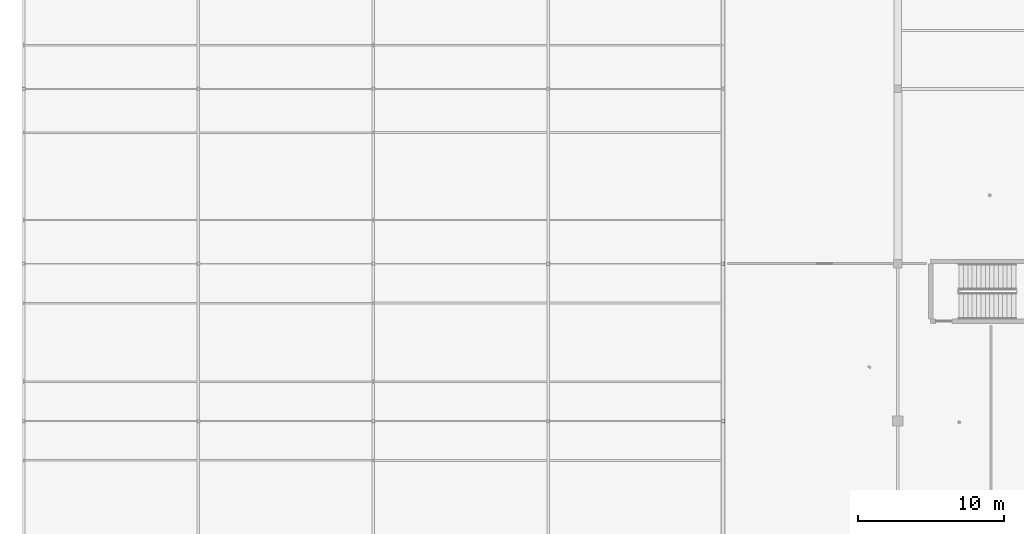
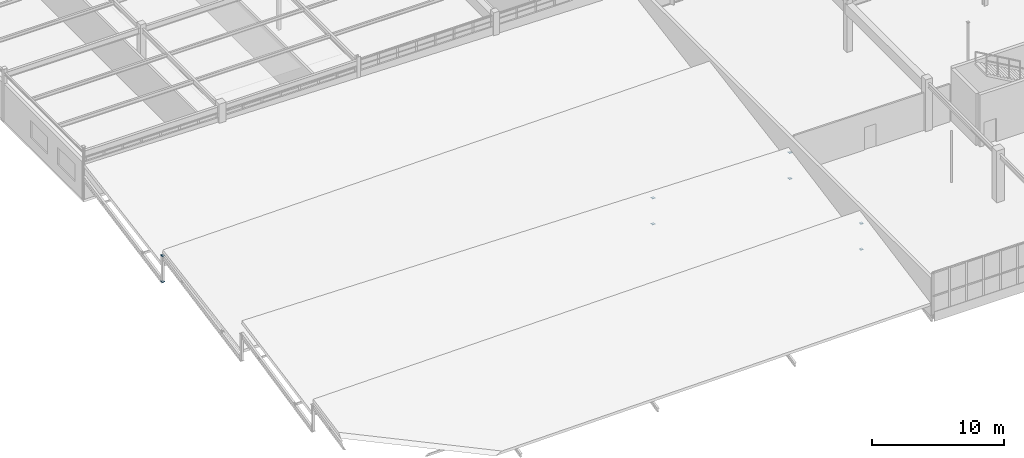
# One storey, part 157 of 226: 8 plates.
"""IFC4 building model written with IfcOpenShell, lengths in metres."""

import ifcopenshell
import ifcopenshell.guid

model = None  # the IFC model being written
_history = None  # IfcOwnerHistory: only IFC2X3 demands one
_inside = {}  # id of a spatial element -> (the spatial element, [elements in it])
_under = {}  # id of a project, library or spatial element -> (it, [spatial elements below it])
_declared = {}  # id of a project -> (the project, [libraries it declares])
_typed = {}  # id of a type object -> (the type object, [elements of that type])
_made_of = {}  # id of a material, layer set ... -> (it, [elements and type objects made of it])


def new_model(schema):
    """Start an empty IFC model of exactly this schema.

    Asked for "IFC4X3", IfcOpenShell would pick the latest addendum, in which some entities
    have other attributes; the version numbers below select the first issue.
    IFC2X3 requires an IfcOwnerHistory on every rooted entity: one is made here for all.
    """
    global model, _history
    if schema == "IFC4X3":
        model = ifcopenshell.file(schema_version=(4, 3, 0, 0))
    else:
        model = ifcopenshell.file(schema=schema)
    _inside.clear()
    _under.clear()
    _declared.clear()
    _typed.clear()
    _made_of.clear()
    _history = None
    if model.schema == "IFC2X3":
        org = make("IfcOrganization", Name="unknown")
        user = make(
            "IfcPersonAndOrganization",
            ThePerson=make("IfcPerson", FamilyName="unknown"),
            TheOrganization=org,
        )
        app = make(
            "IfcApplication",
            ApplicationDeveloper=org,
            Version="unknown",
            ApplicationFullName="unknown",
            ApplicationIdentifier="unknown",
        )
        _history = make(
            "IfcOwnerHistory",
            OwningUser=user,
            OwningApplication=app,
            ChangeAction="ADDED",
            CreationDate=0,
        )
    return model


def make(cls, **values):
    """One entity of the class cls with the attributes given. An attribute that is None is left unset."""
    return model.create_entity(
        cls, **{name: value for name, value in values.items() if value is not None}
    )


def rooted(cls, **values):
    """An entity with a GlobalId (a new one), such as an element, a storey or a relation."""
    return make(cls, GlobalId=ifcopenshell.guid.new(), OwnerHistory=_history, **values)


def si_unit(unit_type, name, prefix=None):
    """IfcSIUnit, for example si_unit("LENGTHUNIT", "METRE", prefix="MILLI")."""
    return make("IfcSIUnit", UnitType=unit_type, Prefix=prefix, Name=name)


def assignment(units):
    """IfcUnitAssignment: the units of a project."""
    return None if units is None else make("IfcUnitAssignment", Units=units)


def point(xyz):
    """IfcCartesianPoint."""
    return None if xyz is None else make("IfcCartesianPoint", Coordinates=xyz)


def direction(xyz):
    """IfcDirection."""
    return None if xyz is None else make("IfcDirection", DirectionRatios=xyz)


def frame(location, z_axis=None, x_axis=None):
    """IfcAxis2Placement3D, a coordinate frame: its origin and axes. An axis left out is left unset."""
    return make(
        "IfcAxis2Placement3D",
        Location=point(location),
        Axis=direction(z_axis),
        RefDirection=direction(x_axis),
    )


def frame_2d(location, x_axis=None):
    """IfcAxis2Placement2D, a coordinate frame in the plane: its origin and x axis."""
    return make(
        "IfcAxis2Placement2D", Location=point(location), RefDirection=direction(x_axis)
    )


def origin():
    """The frame at (0, 0, 0) with its axes left unset."""
    return frame((0.0, 0.0, 0.0))


def origin_2d():
    """The frame at (0, 0) in the plane with its x axis left unset."""
    return frame_2d((0.0, 0.0))


def place(relative_to, where):
    """IfcLocalPlacement: puts the frame where relative to a parent placement (None: the world)."""
    return make(
        "IfcLocalPlacement", PlacementRelTo=relative_to, RelativePlacement=where
    )


def context(
    kind, dimensions, precision=None, world=None, true_north=None, identifier=None
):
    """IfcGeometricRepresentationContext, for example the 3D "Model" context."""
    return make(
        "IfcGeometricRepresentationContext",
        ContextIdentifier=identifier,
        ContextType=kind,
        CoordinateSpaceDimension=dimensions,
        Precision=precision,
        WorldCoordinateSystem=world,
        TrueNorth=true_north,
    )


def subcontext(parent, identifier, kind, view, scale=None):
    """IfcGeometricRepresentationSubContext, for example "Body" below "Model"."""
    return make(
        "IfcGeometricRepresentationSubContext",
        ContextIdentifier=identifier,
        ContextType=kind,
        ParentContext=parent,
        TargetScale=scale,
        TargetView=view,
    )


def project(units=None, contexts=None):
    """IfcProject with its units and contexts."""
    return rooted(
        "IfcProject",
        Name="project",
        RepresentationContexts=contexts,
        UnitsInContext=assignment(units),
    )


def spatial(cls, under=None, at=None, **own):
    """A site, building, storey or space (cls), placed at a placement, below another one or the project."""
    s = rooted(cls, ObjectPlacement=at, **own)
    if under is not None:
        _under.setdefault(under.id(), (under, []))[1].append(s)
    return s


def profile(cls, at=None, kind="AREA", **sizes):
    """A parametric profile (cls). Its sizes go by their IFC names, for example OverallWidth=200.0."""
    return make(cls, ProfileType=kind, Position=at, **sizes)


def rectangle(**sizes):
    """IfcRectangleProfileDef."""
    return profile("IfcRectangleProfileDef", **sizes)


def extrude(swept, where, along, depth):
    """IfcExtrudedAreaSolid: the profile swept, set in the frame where, extruded along a direction by depth."""
    return make(
        "IfcExtrudedAreaSolid",
        SweptArea=swept,
        Position=where,
        ExtrudedDirection=direction(along),
        Depth=depth,
    )


def shape(context_of_items, identifier, shape_type, items):
    """IfcShapeRepresentation: the items that make up one representation, for example the "Body"."""
    return make(
        "IfcShapeRepresentation",
        ContextOfItems=context_of_items,
        RepresentationIdentifier=identifier,
        RepresentationType=shape_type,
        Items=items,
    )


def material(Name=None, Category=None):
    """IfcMaterial."""
    return make("IfcMaterial", Name=Name, Category=Category)


def layer(
    of_material, thickness, ventilated=None, Name=None, Category=None, Priority=None
):
    """IfcMaterialLayer: one layer of a wall or slab, of a material (None: an air gap)."""
    return make(
        "IfcMaterialLayer",
        Material=of_material,
        LayerThickness=thickness,
        IsVentilated=ventilated,
        Name=Name,
        Category=Category,
        Priority=Priority,
    )


def layer_set(layers, Name=None):
    """IfcMaterialLayerSet."""
    return make("IfcMaterialLayerSet", MaterialLayers=layers, LayerSetName=Name)


def made_of(thing, what):
    """Note that an element or type object is made of a material, layer set ...; save() writes the relation."""
    if what is not None:
        _made_of.setdefault(what.id(), (what, []))[1].append(thing)
    return thing


def type_object(cls, material=None, **own):
    """A type object (cls), such as IfcWallType, which elements share."""
    return made_of(rooted(cls, **own), material)


def element(
    cls,
    number,
    at=None,
    inside=None,
    cuts=None,
    type_object=None,
    material=None,
    context=None,
    identifier="Body",
    shape_type=None,
    held_by="IfcProductDefinitionShape",
    body=None,
    shapes=None,
    **own,
):
    """One element of the class cls, such as IfcWall. Its Tag is "e" and its number.

    at: its placement. inside: the storey or other place that contains it. cuts: it is an
    opening in that element (IfcRelVoidsElement). A single representation is given by context,
    identifier, shape_type and body (its items); several are given by shapes. held_by: the class
    of the entity that holds the representations. save() writes the other relations.
    """
    e = rooted(cls, Tag="e%d" % number, ObjectPlacement=at, **own)
    if body is not None:
        shapes = [shape(context, identifier, shape_type, body)]
    if shapes is not None:
        e.Representation = make(held_by, Representations=shapes)
    if inside is not None:
        _inside.setdefault(inside.id(), (inside, []))[1].append(e)
    if cuts is not None:
        rooted(
            "IfcRelVoidsElement", RelatingBuildingElement=cuts, RelatedOpeningElement=e
        )
    if type_object is not None:
        _typed.setdefault(type_object.id(), (type_object, []))[1].append(e)
    return made_of(e, material)


def aggregate(whole, parts):
    """IfcRelAggregates: a whole, such as a stair, and the parts it consists of."""
    return rooted("IfcRelAggregates", RelatingObject=whole, RelatedObjects=parts)


def save(model, path):
    """Write the relations noted so far, then the file.

    IfcRelAggregates (storeys below a building ...), IfcRelContainedInSpatialStructure (elements
    in a storey), IfcRelDefinesByType, IfcRelAssociatesMaterial and IfcRelDeclares: one each for
    every whole, place, type object, material and project.
    """
    for whole, parts in _under.values():
        aggregate(whole, parts)
    for where, things in _inside.values():
        rooted(
            "IfcRelContainedInSpatialStructure",
            RelatedElements=things,
            RelatingStructure=where,
        )
    for kind, things in _typed.values():
        rooted("IfcRelDefinesByType", RelatedObjects=things, RelatingType=kind)
    for what, things in _made_of.values():
        rooted("IfcRelAssociatesMaterial", RelatedObjects=things, RelatingMaterial=what)
    for by, libraries in _declared.values():
        rooted("IfcRelDeclares", RelatingContext=by, RelatedDefinitions=libraries)
    model.write(path)


model = new_model("IFC4")

# Units and contexts
model_context = context("Model", 3, precision=1e-05, world=origin(), true_north=direction((0.0, 1.0)))
body_context = subcontext(model_context, "Body", "Model", "MODEL_VIEW")
ifc_project = project(units=[si_unit("LENGTHUNIT", "METRE"), si_unit("AREAUNIT", "SQUARE_METRE"), si_unit("VOLUMEUNIT", "CUBIC_METRE"), si_unit("PLANEANGLEUNIT", "RADIAN"), si_unit("MASSUNIT", "GRAM", prefix="KILO")], contexts=[model_context])

# Site, building, storey
site_placement = place(None, origin())
site = spatial("IfcSite", under=ifc_project, at=site_placement, CompositionType="ELEMENT")
building_placement = place(site_placement, origin())
building = spatial("IfcBuilding", under=site, at=building_placement, Name="Tarnwether General Hospital", CompositionType="ELEMENT")
storey_placement = place(building_placement, frame((0.0, 0.0, 4.800048828125)))
storey = spatial("IfcBuildingStorey", under=building, at=storey_placement, Name="L01", CompositionType="ELEMENT", Elevation=4.800048828125)

# Plates
ifc_material = material(Name="Steel Grade 350 (350 MPa)", Category="steel")
ifc_layer = layer(ifc_material, 0.02490234375)
ifc_layer_set = layer_set([ifc_layer], Name="Steel Grade 350 (350 MPa)")
plate_type = type_object("IfcPlateType", Name="PT-GUS2", PredefinedType="USERDEFINED", material=ifc_layer_set)
for number, where, z_axis, x_axis, name in (
    (1, (48.0, 10.800048828125, -0.405029296875), (0.0, 0.0, 1.0), (1.0, 0.0, 0.0), "Hollow Section Welded End Cap Plate 1401"),
    (2, (48.0, 10.800048828125, 2.0), (0.0, 0.0, 1.0), (1.0, 0.0, 0.0), "Hollow Section Welded End Cap Plate 1402"),
    (3, (36.0, 21.60009765625, -0.405029296875), (0.0, 0.0, 1.0), (1.0, 0.0, 0.0), "Hollow Section Welded End Cap Plate 1413"),
    (4, (36.0, 21.60009765625, 2.0), (0.0, 0.0, 1.0), (1.0, 0.0, 0.0), "Hollow Section Welded End Cap Plate 1414"),
    (5, (48.0, 21.60009765625, -0.405029296875), (0.0, 0.0, 1.0), (1.0, 0.0, 0.0), "Hollow Section Welded End Cap Plate 1415"),
    (6, (48.0, 21.60009765625, 2.0), (0.0, 0.0, 1.0), (1.0, 0.0, 0.0), "Hollow Section Welded End Cap Plate 1416"),
    (7, (0.0, 33.60009765625, -0.405029296875), (0.0, 0.0, 1.0), (1.0, 0.0, 0.0), "Hollow Section Welded End Cap Plate 1421"),
    (8, (0.0, 33.60009765625, 2.0), (0.0, 0.0, 1.0), (1.0, 0.0, 0.0), "Hollow Section Welded End Cap Plate 1422"),
):
    element("IfcPlate", number, at=place(storey_placement, frame(where, z_axis=z_axis, x_axis=x_axis)), inside=storey, type_object=plate_type, Name=name, ObjectType="GUSSET", PredefinedType="USERDEFINED", context=body_context, shape_type="SweptSolid", body=[
        extrude(rectangle(XDim=0.239990234375, YDim=0.239990234375, at=origin_2d()), origin(), (0.0, 0.0, 1.0), 0.02490234375),
    ])

save(model, "model.ifc")
